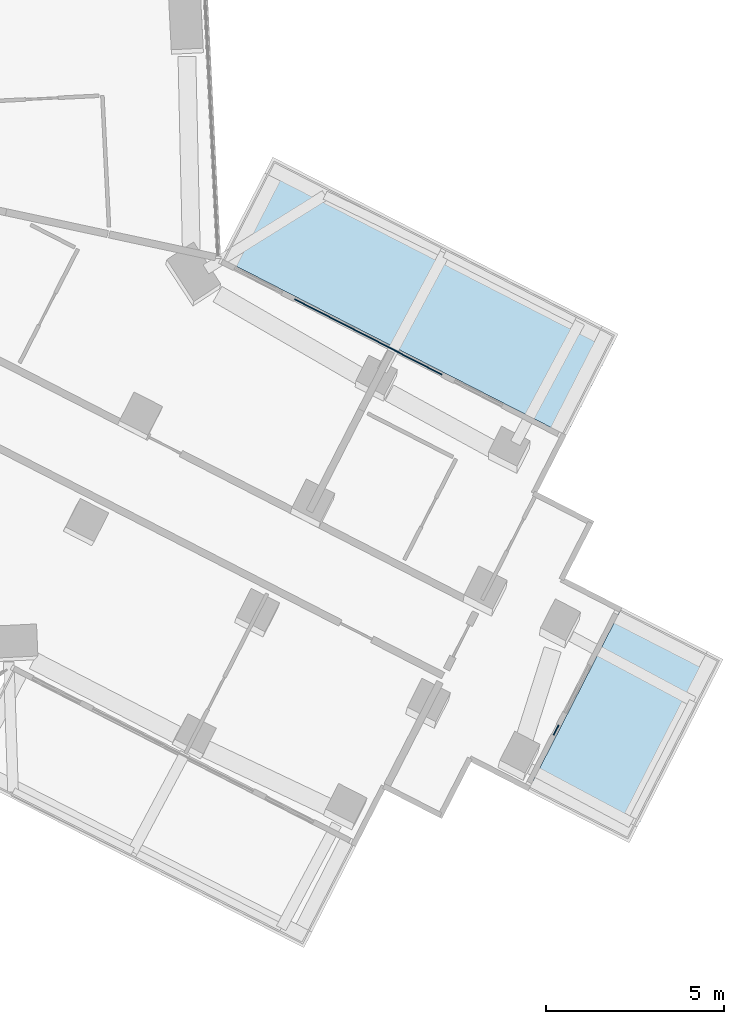
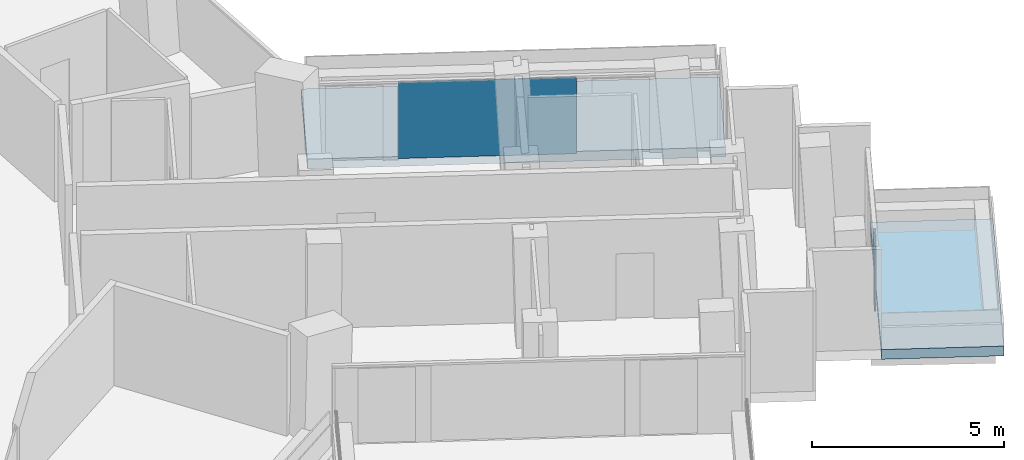
# One storey, part 15 of 25: 2 plates, 2 slabs, 2 elements without a shape of their own.
"""IFC4 building model written with IfcOpenShell, lengths in metres."""

from ifc_helpers import new_model, si_unit, direction, frame, origin, origin_2d, place, context, subcontext, project, spatial, polyline, rectangle, outline, extrude, material, layer, layer_set, type_object, element, aggregate, save


model = new_model("IFC4")

# Units and contexts
model_context = context("Model", 3, precision=1e-05, world=origin(), true_north=direction((0.0, 1.0)))
body_context = subcontext(model_context, "Body", "Model", "MODEL_VIEW")
ifc_project = project(units=[si_unit("LENGTHUNIT", "METRE"), si_unit("AREAUNIT", "SQUARE_METRE"), si_unit("VOLUMEUNIT", "CUBIC_METRE"), si_unit("PLANEANGLEUNIT", "RADIAN"), si_unit("MASSUNIT", "GRAM", prefix="KILO")], contexts=[model_context])

# Site, building, storey
site_placement = place(None, origin())
site = spatial("IfcSite", under=ifc_project, at=site_placement, CompositionType="ELEMENT")
building_placement = place(site_placement, origin())
building = spatial("IfcBuilding", under=site, at=building_placement, Name="Verdalira Terraces Hotel", CompositionType="ELEMENT")
storey_placement = place(building_placement, frame((0.0, 0.0, 46.0)))
storey = spatial("IfcBuildingStorey", under=building, at=storey_placement, Name="L09", CompositionType="ELEMENT", Elevation=46.0)

# Slabs
ifc_material_1 = material(Name="Precast concrete C40/50", Category="concrete")
ifc_layer_1 = layer(ifc_material_1, 0.31005859375)
ifc_layer_set_1 = layer_set([ifc_layer_1], Name="Balcony deck 310")
slab_type = type_object("IfcSlabType", Name="Balcony deck 310", PredefinedType="FLOOR", material=ifc_layer_set_1)
slab_1_placement = place(storey_placement, frame((0.0, 0.0, -0.310059)))
element("IfcSlab", 1, at=slab_1_placement, inside=storey, type_object=slab_type, Name="Balcony deck", PredefinedType="FLOOR", context=body_context, shape_type="SweptSolid", body=[
    extrude(outline(polyline([(38.685059, -16.554932), (35.836914, -15.096191), (33.192871, -20.258545), (36.04126, -21.717285), (38.685059, -16.554932)])), origin(), (0.0, 0.0, 1.0), 0.310059),
])
slab_2_placement = place(storey_placement, frame((0.0, 0.0, -0.310059)))
element("IfcSlab", 2, at=slab_2_placement, inside=storey, type_object=slab_type, Name="Balcony deck", PredefinedType="FLOOR", context=body_context, shape_type="SweptSolid", body=[
    extrude(outline(polyline([(26.012939, -2.424805), (24.554199, -5.272949), (34.273926, -10.250977), (35.732666, -7.402832), (26.012939, -2.424805)])), origin(), (0.0, 0.0, 1.0), 0.310059),
])

# Curtain wall, plate
ifc_material_2 = material(Name="Clear glass", Category="glass")
ifc_layer_2 = layer(ifc_material_2, 0.14990234375)
ifc_layer_set_2 = layer_set([ifc_layer_2], Name="CW2 curtain wall")
curtain_wall_type_1 = type_object("IfcCurtainWallType", Name="CW2 curtain wall", PredefinedType="NOTDEFINED", material=ifc_layer_set_2)
curtain_wall_1_placement = place(storey_placement, origin())
curtain_wall_1 = element("IfcCurtainWall", 3, at=curtain_wall_1_placement, inside=storey, type_object=curtain_wall_type_1, Name="CW2 curtain wall L09 edge 38", PredefinedType="NOTDEFINED")
ifc_material_3 = material(Name="Clear glass", Category="glass")
ifc_layer_3 = layer(ifc_material_3, 0.031982421875)
ifc_layer_set_3 = layer_set([ifc_layer_3], Name="CW2 glass unit 32")
plate_type_1 = type_object("IfcPlateType", Name="CW2 glass unit 32", PredefinedType="CURTAIN_PANEL", material=ifc_layer_set_3)
plate_1_placement = place(storey_placement, frame((28.703125, -7.482178, 0.0), z_axis=(0.0, 0.0, 1.0), x_axis=(-0.890053735, 0.455855622, 0.0)))
plate_1 = element("IfcPlate", 4, at=plate_1_placement, type_object=plate_type_1, Name="CW2 glass unit", PredefinedType="CURTAIN_PANEL", context=body_context, shape_type="SweptSolid", body=[
    extrude(rectangle(XDim=4.659424, YDim=0.031982, at=origin_2d()), origin(), (0.0, 0.0, 1.0), 2.425049),
])
aggregate(curtain_wall_1, [plate_1])

ifc_material_4 = material(Name="Clear glass", Category="glass")
ifc_layer_4 = layer(ifc_material_4, 0.14990234375)
ifc_layer_set_4 = layer_set([ifc_layer_4], Name="CW3 curtain wall")
curtain_wall_type_2 = type_object("IfcCurtainWallType", Name="CW3 curtain wall", PredefinedType="NOTDEFINED", material=ifc_layer_set_4)
curtain_wall_2_placement = place(storey_placement, origin())
curtain_wall_2 = element("IfcCurtainWall", 5, at=curtain_wall_2_placement, inside=storey, type_object=curtain_wall_type_2, Name="CW3 curtain wall L09 edge 33", PredefinedType="NOTDEFINED")
ifc_material_5 = material(Name="Clear glass", Category="glass")
ifc_layer_5 = layer(ifc_material_5, 0.035888671875)
ifc_layer_set_5 = layer_set([ifc_layer_5], Name="CW3 glass unit 36")
plate_type_2 = type_object("IfcPlateType", Name="CW3 glass unit 36", PredefinedType="CURTAIN_PANEL", material=ifc_layer_set_5)
plate_2_placement = place(storey_placement, frame((33.985596, -18.546631, 0.0), z_axis=(0.0, 0.0, 1.0), x_axis=(0.455855622, 0.890053735, 0.0)))
plate_2 = element("IfcPlate", 6, at=plate_2_placement, type_object=plate_type_2, Name="CW3 glass unit", PredefinedType="CURTAIN_PANEL", context=body_context, shape_type="SweptSolid", body=[
    extrude(rectangle(XDim=0.310059, YDim=0.035889, at=origin_2d()), origin(), (0.0, 0.0, 1.0), 2.425049),
])
aggregate(curtain_wall_2, [plate_2])

save(model, "model.ifc")
